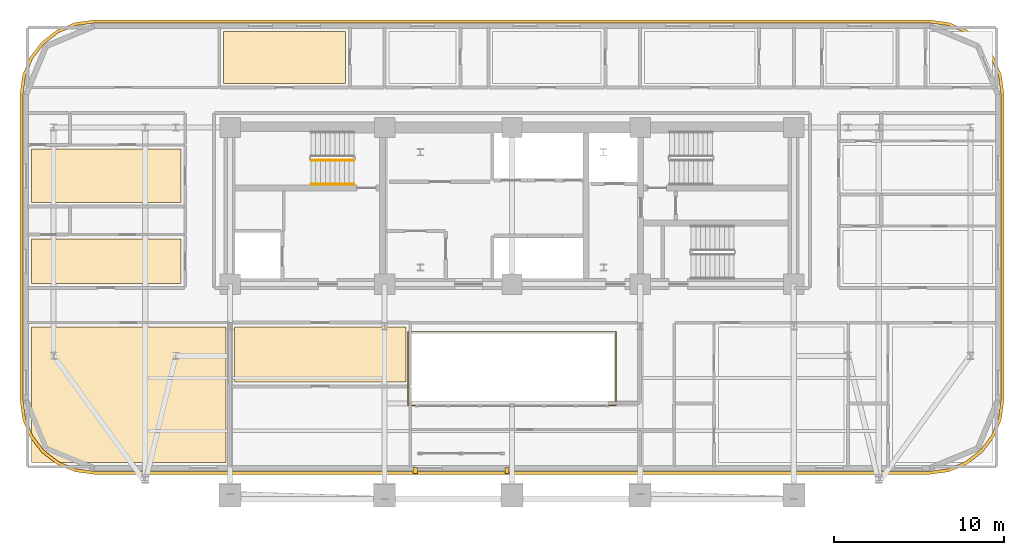
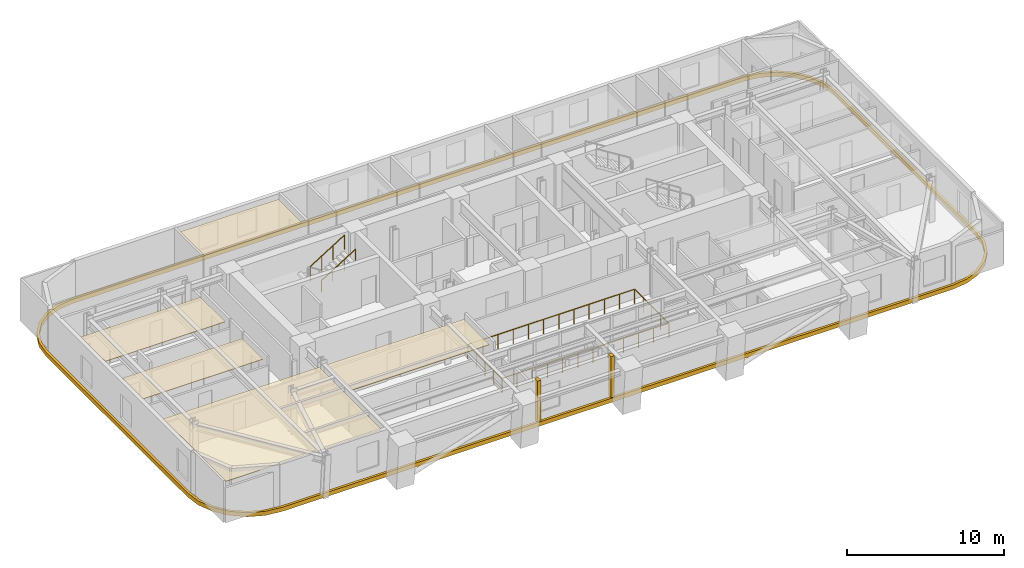
# One storey, part 14 of 16: 8 coverings, 3 railings.
"""IFC4 building model written with IfcOpenShell, lengths in metres."""

from ifc_helpers import new_model, si_unit, direction, frame, origin, origin_2d, place, context, subcontext, project, spatial, polyline, rectangle, outline, extrude, material, layer, layer_set, type_object, element, save


model = new_model("IFC4")

# Units and contexts
model_context = context("Model", 3, precision=1e-05, world=origin(), true_north=direction((0.0, 1.0)))
body_context = subcontext(model_context, "Body", "Model", "MODEL_VIEW")
ifc_project = project(units=[si_unit("LENGTHUNIT", "METRE"), si_unit("AREAUNIT", "SQUARE_METRE"), si_unit("VOLUMEUNIT", "CUBIC_METRE"), si_unit("PLANEANGLEUNIT", "RADIAN"), si_unit("MASSUNIT", "GRAM", prefix="KILO")], contexts=[model_context])

# Site, building, storey
site_placement = place(None, origin())
site = spatial("IfcSite", under=ifc_project, at=site_placement, CompositionType="ELEMENT")
building_placement = place(site_placement, origin())
building = spatial("IfcBuilding", under=site, at=building_placement, Name="Zarnavel Station Tower", CompositionType="ELEMENT")
storey_placement = place(building_placement, frame((0.0, 0.0, 118.800048828125)))
storey = spatial("IfcBuildingStorey", under=building, at=storey_placement, Name="L32", CompositionType="ELEMENT", Elevation=118.800048828125)

# Coverings
ifc_material_1 = material(Name="Perforated Gypsum and Mineral-Wool Acoustic Ceiling", Category="concrete")
ifc_layer = layer(ifc_material_1, 0.0400390625)
ifc_layer_set = layer_set([ifc_layer], Name="COV_CEIL_ACOUSTIC")
covering_type_1 = type_object("IfcCoveringType", Name="COV_CEIL_ACOUSTIC", PredefinedType="CEILING", material=ifc_layer_set)
covering_1_placement = place(storey_placement, frame((0.0, 0.0, 2.919921875)))
element("IfcCovering", 1, at=covering_1_placement, inside=storey, type_object=covering_type_1, Name="L32 FNW1R Acoustic Ceiling", PredefinedType="CEILING", context=body_context, shape_type="SweptSolid", body=[
    extrude(outline(polyline([(0.510009765625, 27.85009765625), (9.300048828125, 27.85009765625), (9.300048828125, 30.490966796875), (0.510009765625, 30.490966796875), (0.510009765625, 27.85009765625)])), origin(), (0.0, 0.0, 1.0), 0.0400390625),
])
covering_2_placement = place(storey_placement, frame((0.0, 0.0, 2.919921875)))
element("IfcCovering", 2, at=covering_2_placement, inside=storey, type_object=covering_type_1, Name="L32 FNW2R Acoustic Ceiling", PredefinedType="CEILING", context=body_context, shape_type="SweptSolid", body=[
    extrude(outline(polyline([(0.510009765625, 32.64111328125), (9.300048828125, 32.64111328125), (9.300048828125, 35.777099609375), (0.510009765625, 35.777099609375), (0.510009765625, 32.64111328125)])), origin(), (0.0, 0.0, 1.0), 0.0400390625),
])
covering_3_placement = place(storey_placement, frame((0.0, 0.0, 2.919921875)))
element("IfcCovering", 3, at=covering_3_placement, inside=storey, type_object=covering_type_1, Name="L32 HN1R Acoustic Ceiling", PredefinedType="CEILING", context=body_context, shape_type="SweptSolid", body=[
    extrude(outline(polyline([(11.81005859375, 39.64990234375), (19.0, 39.64990234375), (19.0, 42.68994140625), (11.81005859375, 42.68994140625), (11.81005859375, 39.64990234375)])), origin(), (0.0, 0.0, 1.0), 0.0400390625),
])
covering_4_placement = place(storey_placement, frame((0.0, 0.0, 2.919921875)))
element("IfcCovering", 4, at=covering_4_placement, inside=storey, type_object=covering_type_1, Name="L32 Z2CLB Acoustic Ceiling", PredefinedType="CEILING", context=body_context, shape_type="SweptSolid", body=[
    extrude(outline(polyline([(0.510009765625, 17.31005859375), (11.949951171875, 17.31005859375), (11.949951171875, 25.300048828125), (0.510009765625, 25.300048828125), (0.510009765625, 17.31005859375)])), origin(), (0.0, 0.0, 1.0), 0.0400390625),
])
covering_5_placement = place(storey_placement, frame((0.0, 0.0, 2.919921875)))
element("IfcCovering", 5, at=covering_5_placement, inside=storey, type_object=covering_type_1, Name="L32 Z2KIT Acoustic Ceiling", PredefinedType="CEILING", context=body_context, shape_type="SweptSolid", body=[
    extrude(outline(polyline([(12.449951171875, 22.050048828125), (22.550048828125, 22.050048828125), (22.550048828125, 25.300048828125), (12.449951171875, 25.300048828125), (12.449951171875, 22.050048828125)])), origin(), (0.0, 0.0, 1.0), 0.0400390625),
])
ifc_material_2 = material(Name="Precast concrete C45/55 (Pale Travertine Slab Band)", Category="masonry")
covering_type_2 = type_object("IfcCoveringType", Name="COV_TRAVERTINE_BAND", PredefinedType="CLADDING", material=ifc_material_2)
covering_6_placement = place(storey_placement, frame((0.0, 0.0, -0.260009765625)))
element("IfcCovering", 6, at=covering_6_placement, inside=storey, type_object=covering_type_2, Name="L32 Pale Travertine Slab-Edge Band", PredefinedType="CLADDING", context=body_context, shape_type="SweptSolid", body=[
    extrude(outline(polyline([(53.39990234375, 16.6201171875), (54.53369140625, 16.769287109375), (55.590087890625, 17.206787109375), (56.4970703125, 17.90283203125), (57.193115234375, 18.81005859375), (57.630859375, 19.866455078125), (57.780029296875, 21.0), (57.780029296875, 39.0), (57.630859375, 40.133544921875), (57.193115234375, 41.18994140625), (56.4970703125, 42.09716796875), (55.590087890625, 42.793212890625), (54.53369140625, 43.230712890625), (53.39990234375, 43.3798828125), (4.199951171875, 43.3798828125), (3.06640625, 43.230712890625), (2.010009765625, 42.793212890625), (1.102783203125, 42.09716796875), (0.40673828125, 41.18994140625), (-0.03076171875, 40.133544921875), (-0.179931640625, 39.0), (-0.179931640625, 21.0), (-0.03076171875, 19.866455078125), (0.40673828125, 18.81005859375), (1.102783203125, 17.90283203125), (2.010009765625, 17.206787109375), (3.06640625, 16.769287109375), (4.199951171875, 16.6201171875), (53.39990234375, 16.6201171875)]), holes=[polyline([(53.39990234375, 16.800048828125), (54.487060546875, 16.943115234375), (55.5, 17.36279296875), (56.369873046875, 18.0302734375), (57.037353515625, 18.89990234375), (57.456787109375, 19.9130859375), (57.60009765625, 21.0), (57.60009765625, 39.0), (57.456787109375, 40.0869140625), (57.037353515625, 41.10009765625), (56.369873046875, 41.9697265625), (55.5, 42.63720703125), (54.487060546875, 43.056884765625), (53.39990234375, 43.199951171875), (4.199951171875, 43.199951171875), (3.113037109375, 43.056884765625), (2.10009765625, 42.63720703125), (1.230224609375, 41.9697265625), (0.562744140625, 41.10009765625), (0.14306640625, 40.0869140625), (0.0, 39.0), (0.0, 21.0), (0.14306640625, 19.9130859375), (0.562744140625, 18.89990234375), (1.230224609375, 18.0302734375), (2.10009765625, 17.36279296875), (3.113037109375, 16.943115234375), (4.199951171875, 16.800048828125), (53.39990234375, 16.800048828125)])]), origin(), (0.0, 0.0, 1.0), 0.320068359375),
])
for number, where, z_axis, x_axis, name in (
    (7, (23.10009765625, 16.85009765625, 0.0), (0.0, 0.0, 1.0), (1.0, 0.0, 0.0), "L32 Travertine Portal Loggia Vertical Jog West"),
    (8, (28.5, 16.85009765625, 0.0), (0.0, 0.0, 1.0), (1.0, 0.0, 0.0), "L32 Travertine Portal Loggia Vertical Jog East"),
):
    element("IfcCovering", number, at=place(storey_placement, frame(where, z_axis=z_axis, x_axis=x_axis)), inside=storey, type_object=covering_type_2, Name=name, PredefinedType="CLADDING", context=body_context, shape_type="SweptSolid", body=[
        extrude(rectangle(XDim=0.239990234375, YDim=0.360107421875, at=origin_2d()), origin(), (0.0, 0.0, 1.0), 3.239990234375),
    ])

# Railings
ifc_material_3 = material(Name="Painted Steel S355J2 Balustrade", Category="steel")
railing_type_1 = type_object("IfcRailingType", Name="GR_INT_1150", PredefinedType="GUARDRAIL", material=ifc_material_3)
railing_1_placement = place(storey_placement, frame((16.9599609375, 35.110107421875, 1.925048828125)))
element("IfcRailing", 9, at=railing_1_placement, inside=storey, type_object=railing_type_1, Name="L32 ST1 stair guard 3", PredefinedType="GUARDRAIL", context=body_context, shape_type="SweptSolid", body=[
    extrude(rectangle(XDim=0.048095703125, YDim=0.048095703125, at=origin_2d()), frame((0.001708984375, 0.0, 1.126953125), z_axis=(0.848007534815, 0.0, 0.529984170421), x_axis=(0.0, 1.0, 0.0)), (0.0, 0.0, 1.0), 2.9677734375),
    extrude(rectangle(XDim=0.0419921875, YDim=0.0419921875, at=origin_2d()), origin(), (0.0, 0.0, 1.0), 1.101806640625),
    extrude(rectangle(XDim=0.0419921875, YDim=0.0419921875, at=origin_2d()), frame((0.840087890625, 0.0, 0.52490234375)), (0.0, 0.0, 1.0), 1.101806640625),
    extrude(rectangle(XDim=0.0419921875, YDim=0.0419921875, at=origin_2d()), frame((1.679931640625, 0.0, 1.050048828125)), (0.0, 0.0, 1.0), 1.101806640625),
    extrude(rectangle(XDim=0.0419921875, YDim=0.0419921875, at=origin_2d()), frame((2.52001953125, 0.0, 1.574951171875)), (0.0, 0.0, 1.0), 1.101806640625),
])
railing_2_placement = place(storey_placement, frame((22.679931640625, 20.679931640625, 0.0)))
element("IfcRailing", 10, at=railing_2_placement, inside=storey, type_object=railing_type_1, Name="L32 Atrium Void Guardrail", PredefinedType="GUARDRAIL", context=body_context, shape_type="SweptSolid", body=[
    extrude(rectangle(XDim=0.048095703125, YDim=0.048095703125, at=origin_2d()), frame((0.001953125, 0.0, 1.1259765625), z_axis=(1.0, 0.0, 0.0), x_axis=(0.0, 1.0, 0.0)), (0.0, 0.0, 1.0), 12.236083984375),
    extrude(rectangle(XDim=0.048095703125, YDim=0.048095703125, at=origin_2d()), frame((12.239990234375, 0.001953125, 1.1259765625), z_axis=(0.0, 1.0, 0.0), x_axis=(-1.0, 0.0, 0.0)), (0.0, 0.0, 1.0), 4.336181640625),
    extrude(rectangle(XDim=0.048095703125, YDim=0.048095703125, at=origin_2d()), frame((12.238037109375, 4.340087890625, 1.1259765625), z_axis=(-1.0, 0.0, 0.0), x_axis=(0.0, -1.0, 0.0)), (0.0, 0.0, 1.0), 12.236083984375),
    extrude(rectangle(XDim=0.048095703125, YDim=0.048095703125, at=origin_2d()), frame((0.0, 4.338134765625, 1.1259765625), z_axis=(0.0, -1.0, 0.0), x_axis=(1.0, 0.0, 0.0)), (0.0, 0.0, 1.0), 4.336181640625),
    extrude(rectangle(XDim=0.0419921875, YDim=0.0419921875, at=origin_2d()), origin(), (0.0, 0.0, 1.0), 1.101806640625),
    extrude(rectangle(XDim=0.0419921875, YDim=0.0419921875, at=origin_2d()), frame((1.11279296875, 0.0, 0.0)), (0.0, 0.0, 1.0), 1.101806640625),
    extrude(rectangle(XDim=0.0419921875, YDim=0.0419921875, at=origin_2d()), frame((2.225341796875, 0.0, 0.0)), (0.0, 0.0, 1.0), 1.101806640625),
    extrude(rectangle(XDim=0.0419921875, YDim=0.0419921875, at=origin_2d()), frame((3.338134765625, 0.0, 0.0)), (0.0, 0.0, 1.0), 1.101806640625),
    extrude(rectangle(XDim=0.0419921875, YDim=0.0419921875, at=origin_2d()), frame((4.450927734375, 0.0, 0.0)), (0.0, 0.0, 1.0), 1.101806640625),
    extrude(rectangle(XDim=0.0419921875, YDim=0.0419921875, at=origin_2d()), frame((5.563720703125, 0.0, 0.0)), (0.0, 0.0, 1.0), 1.101806640625),
    extrude(rectangle(XDim=0.0419921875, YDim=0.0419921875, at=origin_2d()), frame((6.67626953125, 0.0, 0.0)), (0.0, 0.0, 1.0), 1.101806640625),
    extrude(rectangle(XDim=0.0419921875, YDim=0.0419921875, at=origin_2d()), frame((7.7890625, 0.0, 0.0)), (0.0, 0.0, 1.0), 1.101806640625),
    extrude(rectangle(XDim=0.0419921875, YDim=0.0419921875, at=origin_2d()), frame((8.90185546875, 0.0, 0.0)), (0.0, 0.0, 1.0), 1.101806640625),
    extrude(rectangle(XDim=0.0419921875, YDim=0.0419921875, at=origin_2d()), frame((10.0146484375, 0.0, 0.0)), (0.0, 0.0, 1.0), 1.101806640625),
    extrude(rectangle(XDim=0.0419921875, YDim=0.0419921875, at=origin_2d()), frame((11.127197265625, 0.0, 0.0)), (0.0, 0.0, 1.0), 1.101806640625),
    extrude(rectangle(XDim=0.0419921875, YDim=0.0419921875, at=origin_2d()), frame((12.239990234375, 0.0, 0.0)), (0.0, 0.0, 1.0), 1.101806640625),
    extrude(rectangle(XDim=0.0419921875, YDim=0.0419921875, at=origin_2d()), frame((12.239990234375, 1.0849609375, 0.0)), (0.0, 0.0, 1.0), 1.101806640625),
    extrude(rectangle(XDim=0.0419921875, YDim=0.0419921875, at=origin_2d()), frame((12.239990234375, 2.169921875, 0.0)), (0.0, 0.0, 1.0), 1.101806640625),
    extrude(rectangle(XDim=0.0419921875, YDim=0.0419921875, at=origin_2d()), frame((12.239990234375, 3.255126953125, 0.0)), (0.0, 0.0, 1.0), 1.101806640625),
    extrude(rectangle(XDim=0.0419921875, YDim=0.0419921875, at=origin_2d()), frame((12.239990234375, 4.340087890625, 0.0)), (0.0, 0.0, 1.0), 1.101806640625),
    extrude(rectangle(XDim=0.0419921875, YDim=0.0419921875, at=origin_2d()), frame((11.127197265625, 4.340087890625, 0.0)), (0.0, 0.0, 1.0), 1.101806640625),
    extrude(rectangle(XDim=0.0419921875, YDim=0.0419921875, at=origin_2d()), frame((10.0146484375, 4.340087890625, 0.0)), (0.0, 0.0, 1.0), 1.101806640625),
    extrude(rectangle(XDim=0.0419921875, YDim=0.0419921875, at=origin_2d()), frame((8.90185546875, 4.340087890625, 0.0)), (0.0, 0.0, 1.0), 1.101806640625),
    extrude(rectangle(XDim=0.0419921875, YDim=0.0419921875, at=origin_2d()), frame((7.7890625, 4.340087890625, 0.0)), (0.0, 0.0, 1.0), 1.101806640625),
    extrude(rectangle(XDim=0.0419921875, YDim=0.0419921875, at=origin_2d()), frame((6.67626953125, 4.340087890625, 0.0)), (0.0, 0.0, 1.0), 1.101806640625),
    extrude(rectangle(XDim=0.0419921875, YDim=0.0419921875, at=origin_2d()), frame((5.563720703125, 4.340087890625, 0.0)), (0.0, 0.0, 1.0), 1.101806640625),
    extrude(rectangle(XDim=0.0419921875, YDim=0.0419921875, at=origin_2d()), frame((4.450927734375, 4.340087890625, 0.0)), (0.0, 0.0, 1.0), 1.101806640625),
    extrude(rectangle(XDim=0.0419921875, YDim=0.0419921875, at=origin_2d()), frame((3.338134765625, 4.340087890625, 0.0)), (0.0, 0.0, 1.0), 1.101806640625),
    extrude(rectangle(XDim=0.0419921875, YDim=0.0419921875, at=origin_2d()), frame((2.225341796875, 4.340087890625, 0.0)), (0.0, 0.0, 1.0), 1.101806640625),
    extrude(rectangle(XDim=0.0419921875, YDim=0.0419921875, at=origin_2d()), frame((1.11279296875, 4.340087890625, 0.0)), (0.0, 0.0, 1.0), 1.101806640625),
    extrude(rectangle(XDim=0.0419921875, YDim=0.0419921875, at=origin_2d()), frame((0.0, 4.340087890625, 0.0)), (0.0, 0.0, 1.0), 1.101806640625),
    extrude(rectangle(XDim=0.0419921875, YDim=0.0419921875, at=origin_2d()), frame((0.0, 3.255126953125, 0.0)), (0.0, 0.0, 1.0), 1.101806640625),
    extrude(rectangle(XDim=0.0419921875, YDim=0.0419921875, at=origin_2d()), frame((0.0, 2.169921875, 0.0)), (0.0, 0.0, 1.0), 1.101806640625),
    extrude(rectangle(XDim=0.0419921875, YDim=0.0419921875, at=origin_2d()), frame((0.0, 1.0849609375, 0.0)), (0.0, 0.0, 1.0), 1.101806640625),
])
ifc_material_4 = material(Name="Brushed Stainless Steel S355J2 Handrail", Category="steel")
railing_type_2 = type_object("IfcRailingType", Name="HR_STAIR_900", PredefinedType="HANDRAIL", material=ifc_material_4)
railing_3_placement = place(storey_placement, frame((16.9599609375, 33.7099609375, 1.925048828125)))
element("IfcRailing", 11, at=railing_3_placement, inside=storey, type_object=railing_type_2, Name="L32 ST1 stair handrail 2", PredefinedType="HANDRAIL", context=body_context, shape_type="SweptSolid", body=[
    extrude(rectangle(XDim=0.048095703125, YDim=0.048095703125, at=origin_2d()), frame((0.001708984375, 0.0, 0.876953125), z_axis=(0.848007534815, 0.0, 0.529984170421), x_axis=(0.0, 1.0, 0.0)), (0.0, 0.0, 1.0), 2.9677734375),
    extrude(rectangle(XDim=0.0419921875, YDim=0.0419921875, at=origin_2d()), origin(), (0.0, 0.0, 1.0), 0.851806640625),
    extrude(rectangle(XDim=0.0419921875, YDim=0.0419921875, at=origin_2d()), frame((0.840087890625, 0.0, 0.52490234375)), (0.0, 0.0, 1.0), 0.851806640625),
    extrude(rectangle(XDim=0.0419921875, YDim=0.0419921875, at=origin_2d()), frame((1.679931640625, 0.0, 1.050048828125)), (0.0, 0.0, 1.0), 0.851806640625),
    extrude(rectangle(XDim=0.0419921875, YDim=0.0419921875, at=origin_2d()), frame((2.52001953125, 0.0, 1.574951171875)), (0.0, 0.0, 1.0), 0.851806640625),
])

save(model, "model.ifc")
